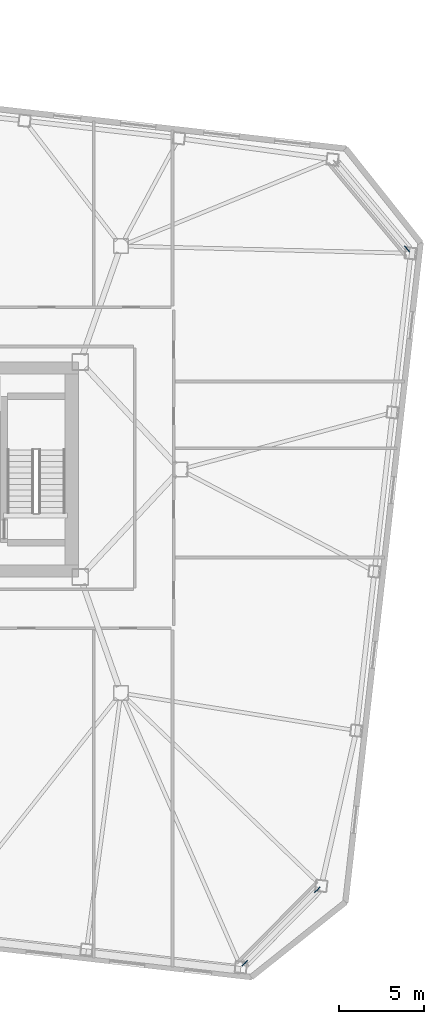
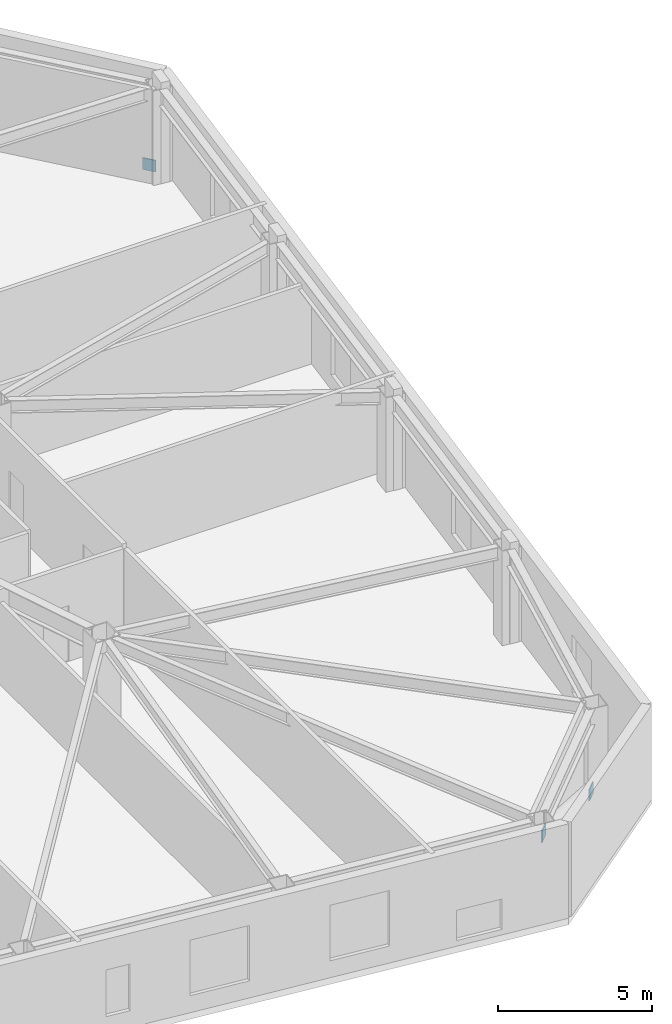
# One storey, part 17 of 19: 3 discrete accessories.
"""IFC4 building model written with IfcOpenShell, lengths in metres."""

from ifc_helpers import new_model, si_unit, direction, frame, origin, origin_2d, place, context, subcontext, project, spatial, rectangle, extrude, material, type_object, element, save


model = new_model("IFC4")

# Units and contexts
model_context = context("Model", 3, precision=1e-05, world=origin(), true_north=direction((0.0, 1.0)))
body_context = subcontext(model_context, "Body", "Model", "MODEL_VIEW")
ifc_project = project(units=[si_unit("LENGTHUNIT", "METRE"), si_unit("AREAUNIT", "SQUARE_METRE"), si_unit("VOLUMEUNIT", "CUBIC_METRE"), si_unit("PLANEANGLEUNIT", "RADIAN"), si_unit("MASSUNIT", "GRAM", prefix="KILO")], contexts=[model_context])

# Site, building, storey
site_placement = place(None, origin())
site = spatial("IfcSite", under=ifc_project, at=site_placement, CompositionType="ELEMENT")
building_placement = place(site_placement, origin())
building = spatial("IfcBuilding", under=site, at=building_placement, Name="Tavrogorsk Clinical Tower", CompositionType="ELEMENT")
storey_placement = place(building_placement, frame((0.0, 0.0, 97.39990234375)))
storey = spatial("IfcBuildingStorey", under=building, at=storey_placement, Name="L21", CompositionType="ELEMENT", Elevation=97.39990234375)

# Discrete accessories
ifc_material = material(Name="Structural steel S440", Category="steel")
discrete_accessory_type = type_object("IfcDiscreteAccessoryType", Name="GussetPlateBracket_25", PredefinedType="BRACKET", material=ifc_material)
for number, where, z_axis, x_axis, name in (
    (1, (36.1025390625, -24.82763671875, 0.20458984375), (0.0, 0.0, 1.0), (-0.702898299792, -0.711290362756, 0.0), "L21 Brace Gusset Plate EXOCRN-L21-1-A"),
    (2, (31.81640625, -29.1650390625, 2.67578125), (0.0, 0.0, 1.0), (-0.702898299792, -0.711290362756, 0.0), "L21 Brace Gusset Plate EXOCRN-L21-1-B"),
    (3, (41.40771484375, 13.03076171875, 0.197021484375), (0.0, 0.0, 1.0), (-0.640243780506, 0.768171791674, 0.0), "L21 Brace Gusset Plate EXOCRN-L21-2-A"),
):
    element("IfcDiscreteAccessory", number, at=place(storey_placement, frame(where, z_axis=z_axis, x_axis=x_axis)), inside=storey, type_object=discrete_accessory_type, Name=name, PredefinedType="BRACKET", context=body_context, shape_type="SweptSolid", body=[
        extrude(rectangle(XDim=0.4599609375, YDim=0.0400390625, at=origin_2d()), origin(), (0.0, 0.0, 1.0), 0.4599609375),
    ])

save(model, "model.ifc")
